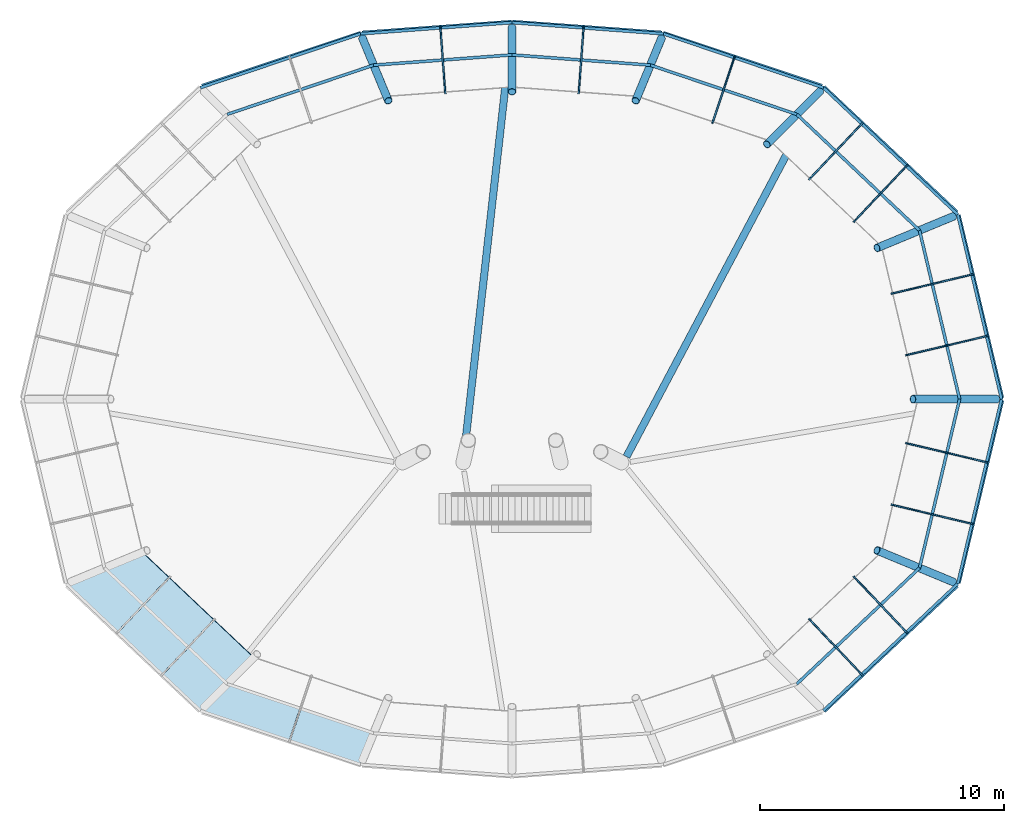
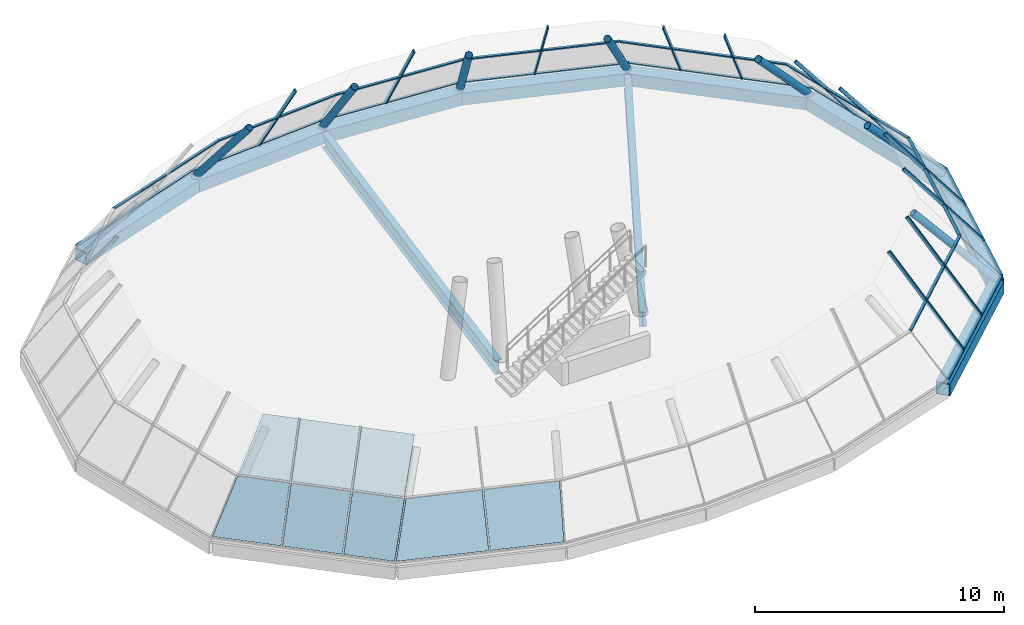
# One storey, part 2 of 5: 34 members, 10 beams, 8 plates, 10 elements without a shape of their own.
"""IFC4 building model written with IfcOpenShell, lengths in metres."""

from ifc_helpers import new_model, si_unit, direction, frame, origin, origin_2d, place, context, subcontext, project, spatial, polyline, rectangle, hollow_rectangle, hollow_circle, i_section, outline, extrude, material, layer, layer_set, material_profile, profile_set, type_object, element, aggregate, save


model = new_model("IFC4")

# Units and contexts
model_context = context("Model", 3, precision=1e-05, world=origin(), true_north=direction((0.0, 1.0)))
body_context = subcontext(model_context, "Body", "Model", "MODEL_VIEW")
ifc_project = project(units=[si_unit("LENGTHUNIT", "METRE"), si_unit("AREAUNIT", "SQUARE_METRE"), si_unit("VOLUMEUNIT", "CUBIC_METRE"), si_unit("PLANEANGLEUNIT", "RADIAN"), si_unit("MASSUNIT", "GRAM", prefix="KILO")], contexts=[model_context])

# Site, building, storey
site_placement = place(None, origin())
site = spatial("IfcSite", under=ifc_project, at=site_placement, CompositionType="ELEMENT")
building_placement = place(site_placement, origin())
building = spatial("IfcBuilding", under=site, at=building_placement, Name="Rubra Terraces Tower", CompositionType="ELEMENT")
storey_placement = place(building_placement, frame((0.0, 0.0, 320.39990234375)))
storey = spatial("IfcBuildingStorey", under=building, at=storey_placement, Name="L79", CompositionType="ELEMENT", Elevation=320.39990234375)

# Members
ifc_material_1 = material(Name="Steel Q355B", Category="steel")
ifc_material_profile_1 = material_profile(ifc_material_1, hollow_circle(Radius=0.16259765625, WallThickness=0.013916015625, at=origin_2d()), Name="CHS 325x14")
ifc_profile_set_1 = profile_set([ifc_material_profile_1], Name="Steel Q355B")
member_type_1 = type_object("IfcMemberType", Name="CROWN POST CHS 325x14", PredefinedType="POST", material=ifc_profile_set_1)
member_1_placement = place(storey_placement, frame((19.909423828125, 0.0, -0.199951171875), z_axis=(-0.691584004948, 0.0, 0.722296036331), x_axis=(0.0, -1.0, 0.0)))
element("IfcMember", 1, at=member_1_placement, inside=storey, type_object=member_type_1, Name="CROWN POST", PredefinedType="POST", context=body_context, shape_type="SweptSolid", body=[
    extrude(hollow_circle(Radius=0.16259765625, WallThickness=0.013916015625, at=origin_2d()), origin(), (0.0, 0.0, 1.0), 4.984130859375),
])
member_2_placement = place(storey_placement, frame((18.124267578125, 7.50732421875, -0.199951171875), z_axis=(-0.634139392973, -0.262621890464, 0.727253032258), x_axis=(0.382624676871, -0.923903867645, 0.0)))
element("IfcMember", 2, at=member_2_placement, inside=storey, type_object=member_type_1, Name="CROWN POST", PredefinedType="POST", context=body_context, shape_type="SweptSolid", body=[
    extrude(hollow_circle(Radius=0.16259765625, WallThickness=0.013916015625, at=origin_2d()), origin(), (0.0, 0.0, 1.0), 4.9501953125),
])
member_3_placement = place(storey_placement, frame((12.65478515625, 12.65478515625, -0.199951171875), z_axis=(-0.461497859782, -0.461497859782, 0.757653912307), x_axis=(0.707106781187, -0.707106781187, 0.0)))
element("IfcMember", 3, at=member_3_placement, inside=storey, type_object=member_type_1, Name="CROWN POST", PredefinedType="POST", context=body_context, shape_type="SweptSolid", body=[
    extrude(hollow_circle(Radius=0.16259765625, WallThickness=0.013916015625, at=origin_2d()), origin(), (0.0, 0.0, 1.0), 4.751708984375),
])
member_4_placement = place(storey_placement, frame((6.140380859375, 14.8251953125, -0.199951171875), z_axis=(-0.233981738034, -0.56532176459, 0.790989158426), x_axis=(0.923984786287, -0.382429228369, 0.0)))
element("IfcMember", 4, at=member_4_placement, inside=storey, type_object=member_type_1, Name="CROWN POST", PredefinedType="POST", context=body_context, shape_type="SweptSolid", body=[
    extrude(hollow_circle(Radius=0.16259765625, WallThickness=0.013916015625, at=origin_2d()), origin(), (0.0, 0.0, 1.0), 4.55126953125),
])
member_5_placement = place(storey_placement, frame((0.0, 15.2705078125, -0.199951171875), z_axis=(0.0, -0.593111499323, 0.80512033223), x_axis=(1.0, 0.0, 0.0)))
element("IfcMember", 5, at=member_5_placement, inside=storey, type_object=member_type_1, Name="CROWN POST", PredefinedType="POST", context=body_context, shape_type="SweptSolid", body=[
    extrude(hollow_circle(Radius=0.16259765625, WallThickness=0.013916015625, at=origin_2d()), origin(), (0.0, 0.0, 1.0), 4.471435546875),
])
member_6_placement = place(storey_placement, frame((-6.140380859375, 14.8251953125, -0.199951171875), z_axis=(0.233981738034, -0.56532176459, 0.790989158426), x_axis=(0.923984786287, 0.382429228369, 0.0)))
element("IfcMember", 6, at=member_6_placement, inside=storey, type_object=member_type_1, Name="CROWN POST", PredefinedType="POST", context=body_context, shape_type="SweptSolid", body=[
    extrude(hollow_circle(Radius=0.16259765625, WallThickness=0.013916015625, at=origin_2d()), origin(), (0.0, 0.0, 1.0), 4.55126953125),
])
member_7_placement = place(storey_placement, frame((18.124267578125, -7.50732421875, -0.199951171875), z_axis=(-0.634139392973, 0.262621890464, 0.727253032258), x_axis=(-0.382624676871, -0.923903867645, 0.0)))
element("IfcMember", 7, at=member_7_placement, inside=storey, type_object=member_type_1, Name="CROWN POST", PredefinedType="POST", context=body_context, shape_type="SweptSolid", body=[
    extrude(hollow_circle(Radius=0.16259765625, WallThickness=0.013916015625, at=origin_2d()), origin(), (0.0, 0.0, 1.0), 4.9501953125),
])

# Beams
ifc_material_profile_2 = material_profile(ifc_material_1, hollow_rectangle(XDim=0.60009765625, YDim=0.60009765625, WallThickness=0.030029296875, at=origin_2d()), Name="BOX 600x600x30")
ifc_profile_set_2 = profile_set([ifc_material_profile_2], Name="Steel Q355B")
beam_type_1 = type_object("IfcBeamType", Name="CROWN RING GIRDER BOX 600x600x30", PredefinedType="BEAM", material=ifc_profile_set_2)
beam_1_placement = place(storey_placement, frame((19.909912109375, 0.0, -0.5), z_axis=(-0.231435173455, 0.972850327896, 0.0), x_axis=(-0.972850327896, -0.231435173455, 0.0)))
element("IfcBeam", 8, at=beam_1_placement, inside=storey, type_object=beam_type_1, Name="CROWN RING GIRDER", PredefinedType="BEAM", context=body_context, shape_type="SweptSolid", body=[
    extrude(hollow_rectangle(XDim=0.60009765625, YDim=0.60009765625, WallThickness=0.030029296875, at=origin_2d()), origin(), (0.0, 0.0, 1.0), 7.716552734375),
])
beam_2_placement = place(storey_placement, frame((18.1240234375, 7.507080078125, -0.5), z_axis=(-0.72815609384, 0.685411338543, 0.0), x_axis=(-0.685411338543, -0.72815609384, 0.0)))
element("IfcBeam", 9, at=beam_2_placement, inside=storey, type_object=beam_type_1, Name="CROWN RING GIRDER", PredefinedType="BEAM", context=body_context, shape_type="SweptSolid", body=[
    extrude(hollow_rectangle(XDim=0.60009765625, YDim=0.60009765625, WallThickness=0.030029296875, at=origin_2d()), origin(), (0.0, 0.0, 1.0), 7.5107421875),
])
beam_3_placement = place(storey_placement, frame((12.655029296875, 12.655029296875, -0.5), z_axis=(-0.948761485147, 0.315993107996, 0.0), x_axis=(-0.315993107996, -0.948761485147, 0.0)))
element("IfcBeam", 10, at=beam_3_placement, inside=storey, type_object=beam_type_1, Name="CROWN RING GIRDER", PredefinedType="BEAM", context=body_context, shape_type="SweptSolid", body=[
    extrude(hollow_rectangle(XDim=0.60009765625, YDim=0.60009765625, WallThickness=0.030029296875, at=origin_2d()), origin(), (0.0, 0.0, 1.0), 6.866943359375),
])
for number, where, z_axis, x_axis, name in (
    (11, (6.139892578125, 14.824951171875, -0.5), (-0.997383055539, 0.072298274693, 0.0), (-0.072298274693, -0.997383055539, 0.0), "CROWN RING GIRDER"),
    (12, (0.0, 15.27001953125, -0.5), (-0.997383055539, -0.072298274693, 0.0), (0.072298274693, -0.997383055539, 0.0), "CROWN RING GIRDER"),
):
    element("IfcBeam", number, at=place(storey_placement, frame(where, z_axis=z_axis, x_axis=x_axis)), inside=storey, type_object=beam_type_1, Name=name, PredefinedType="BEAM", context=body_context, shape_type="SweptSolid", body=[
        extrude(hollow_rectangle(XDim=0.60009765625, YDim=0.60009765625, WallThickness=0.030029296875, at=origin_2d()), origin(), (0.0, 0.0, 1.0), 6.156005859375),
    ])
beam_4_placement = place(storey_placement, frame((-6.139892578125, 14.824951171875, -0.5), z_axis=(-0.948761485147, -0.315993107996, 0.0), x_axis=(0.315993107996, -0.948761485147, 0.0)))
element("IfcBeam", 13, at=beam_4_placement, inside=storey, type_object=beam_type_1, Name="CROWN RING GIRDER", PredefinedType="BEAM", context=body_context, shape_type="SweptSolid", body=[
    extrude(hollow_rectangle(XDim=0.60009765625, YDim=0.60009765625, WallThickness=0.030029296875, at=origin_2d()), origin(), (0.0, 0.0, 1.0), 6.866943359375),
])
beam_5_placement = place(storey_placement, frame((12.655029296875, -12.655029296875, -0.5), z_axis=(0.72815609384, 0.685411338543, 0.0), x_axis=(-0.685411338543, 0.72815609384, 0.0)))
element("IfcBeam", 14, at=beam_5_placement, inside=storey, type_object=beam_type_1, Name="CROWN RING GIRDER", PredefinedType="BEAM", context=body_context, shape_type="SweptSolid", body=[
    extrude(hollow_rectangle(XDim=0.60009765625, YDim=0.60009765625, WallThickness=0.030029296875, at=origin_2d()), origin(), (0.0, 0.0, 1.0), 7.5107421875),
])
beam_6_placement = place(storey_placement, frame((18.1240234375, -7.507080078125, -0.5), z_axis=(0.231435173455, 0.972850327896, 0.0), x_axis=(-0.972850327896, 0.231435173455, 0.0)))
element("IfcBeam", 15, at=beam_6_placement, inside=storey, type_object=beam_type_1, Name="CROWN RING GIRDER", PredefinedType="BEAM", context=body_context, shape_type="SweptSolid", body=[
    extrude(hollow_rectangle(XDim=0.60009765625, YDim=0.60009765625, WallThickness=0.030029296875, at=origin_2d()), origin(), (0.0, 0.0, 1.0), 7.716552734375),
])

# Curtain wall, members
ifc_material_2 = material(Name="Aluminium and glass", Category="aluminium")
curtain_wall_type = type_object("IfcCurtainWallType", Name="Curtain wall Crown glazing", PredefinedType="NOTDEFINED", material=ifc_material_2)
curtain_wall_1_placement = place(storey_placement, origin())
curtain_wall_1 = element("IfcCurtainWall", 16, at=curtain_wall_1_placement, inside=storey, type_object=curtain_wall_type, Name="Crown glazing L79 facet 1", PredefinedType="NOTDEFINED")
ifc_material_3 = material(Name="Aluminium, anodised dark grey", Category="aluminium")
ifc_material_profile_3 = material_profile(ifc_material_3, rectangle(XDim=0.06005859375, YDim=0.159912109375, at=origin_2d()), Name="AL 60x160")
ifc_profile_set_3 = profile_set([ifc_material_profile_3], Name="Aluminium, anodised dark grey")
member_type_2 = type_object("IfcMemberType", Name="Crown glazing mullion 60 x 160", PredefinedType="MULLION", material=ifc_profile_set_3)
member_8_placement = place(storey_placement, frame((19.4873046875, 2.58935546875, 0.0), z_axis=(-0.607138086459, -0.144119783671, 0.781417194542), x_axis=(0.23095787964, -0.972963749495, 0.0)))
member_8 = element("IfcMember", 17, at=member_8_placement, type_object=member_type_2, Name="Crown glazing L79 facet 1 mullion 1", PredefinedType="MULLION", context=body_context, shape_type="SweptSolid", body=[
    extrude(rectangle(XDim=0.06005859375, YDim=0.159912109375, at=origin_2d()), origin(), (0.0, 0.0, 1.0), 5.375),
])
member_9_placement = place(storey_placement, frame((18.88720703125, 5.116455078125, 0.0), z_axis=(-0.607134111535, -0.144164260493, 0.781412078616), x_axis=(0.231026783742, -0.972947390764, 0.0)))
member_9 = element("IfcMember", 18, at=member_9_placement, type_object=member_type_2, Name="Crown glazing L79 facet 1 mullion 2", PredefinedType="MULLION", context=body_context, shape_type="SweptSolid", body=[
    extrude(rectangle(XDim=0.06005859375, YDim=0.159912109375, at=origin_2d()), origin(), (0.0, 0.0, 1.0), 5.375244140625),
])

curtain_wall_2_placement = place(storey_placement, origin())
curtain_wall_2 = element("IfcCurtainWall", 19, at=curtain_wall_2_placement, inside=storey, type_object=curtain_wall_type, Name="Crown glazing L79 facet 2", PredefinedType="NOTDEFINED")
member_10_placement = place(storey_placement, frame((16.197021484375, 9.571044921875, 0.0), z_axis=(-0.408014345473, -0.431583311675, 0.804524790775), x_axis=(0.72667023824, -0.68698643717, 0.0)))
member_10 = element("IfcMember", 20, at=member_10_placement, type_object=member_type_2, Name="Crown glazing L79 facet 2 mullion 1", PredefinedType="MULLION", context=body_context, shape_type="SweptSolid", body=[
    extrude(rectangle(XDim=0.06005859375, YDim=0.159912109375, at=origin_2d()), origin(), (0.0, 0.0, 1.0), 5.220703125),
])
member_11_placement = place(storey_placement, frame((14.360107421875, 11.3076171875, 0.0), z_axis=(-0.408014345473, -0.431583311675, 0.804524790775), x_axis=(0.72667023824, -0.68698643717, 0.0)))
member_11 = element("IfcMember", 21, at=member_11_placement, type_object=member_type_2, Name="Crown glazing L79 facet 2 mullion 2", PredefinedType="MULLION", context=body_context, shape_type="SweptSolid", body=[
    extrude(rectangle(XDim=0.06005859375, YDim=0.159912109375, at=origin_2d()), origin(), (0.0, 0.0, 1.0), 5.220703125),
])

# Curtain wall, member
curtain_wall_3_placement = place(storey_placement, origin())
curtain_wall_3 = element("IfcCurtainWall", 22, at=curtain_wall_3_placement, inside=storey, type_object=curtain_wall_type, Name="Crown glazing L79 facet 3", PredefinedType="NOTDEFINED")
member_12_placement = place(storey_placement, frame((9.130859375, 14.02197265625, 0.0), z_axis=(-0.175889468763, -0.522868776352, 0.834069024419), x_axis=(0.947809673557, -0.318836670901, 0.0)))
member_12 = element("IfcMember", 23, at=member_12_placement, type_object=member_type_2, Name="Crown glazing L79 facet 3 mullion 1", PredefinedType="MULLION", context=body_context, shape_type="SweptSolid", body=[
    extrude(rectangle(XDim=0.06005859375, YDim=0.159912109375, at=origin_2d()), origin(), (0.0, 0.0, 1.0), 5.035888671875),
])

curtain_wall_4_placement = place(storey_placement, origin())
curtain_wall_4 = element("IfcCurtainWall", 24, at=curtain_wall_4_placement, inside=storey, type_object=curtain_wall_type, Name="Crown glazing L79 facet 4", PredefinedType="NOTDEFINED")
member_13_placement = place(storey_placement, frame((2.9384765625, 15.24560546875, 0.0), z_axis=(-0.039349040898, -0.531408797322, 0.846201124503), x_axis=(0.997269768942, -0.073844484927, 0.0)))
member_13 = element("IfcMember", 25, at=member_13_placement, type_object=member_type_2, Name="Crown glazing L79 facet 4 mullion 1", PredefinedType="MULLION", context=body_context, shape_type="SweptSolid", body=[
    extrude(rectangle(XDim=0.06005859375, YDim=0.159912109375, at=origin_2d()), origin(), (0.0, 0.0, 1.0), 4.963623046875),
])

curtain_wall_5_placement = place(storey_placement, origin())
curtain_wall_5 = element("IfcCurtainWall", 26, at=curtain_wall_5_placement, inside=storey, type_object=curtain_wall_type, Name="Crown glazing L79 facet 5", PredefinedType="NOTDEFINED")
member_14_placement = place(storey_placement, frame((-2.9384765625, 15.24560546875, 0.0), z_axis=(0.039349040898, -0.531408797322, 0.846201124503), x_axis=(0.997269768942, 0.073844484927, 0.0)))
member_14 = element("IfcMember", 27, at=member_14_placement, type_object=member_type_2, Name="Crown glazing L79 facet 5 mullion 1", PredefinedType="MULLION", context=body_context, shape_type="SweptSolid", body=[
    extrude(rectangle(XDim=0.06005859375, YDim=0.159912109375, at=origin_2d()), origin(), (0.0, 0.0, 1.0), 4.963623046875),
])

# Curtain wall, members
curtain_wall_6_placement = place(storey_placement, origin())
curtain_wall_6 = element("IfcCurtainWall", 28, at=curtain_wall_6_placement, inside=storey, type_object=curtain_wall_type, Name="Crown glazing L79 facet 15", PredefinedType="NOTDEFINED")
member_15_placement = place(storey_placement, frame((14.360107421875, -11.3076171875, 0.0), z_axis=(-0.408014345473, 0.431583311675, 0.804524790775), x_axis=(-0.72667023824, -0.68698643717, 0.0)))
member_15 = element("IfcMember", 29, at=member_15_placement, type_object=member_type_2, Name="Crown glazing L79 facet 15 mullion 1", PredefinedType="MULLION", context=body_context, shape_type="SweptSolid", body=[
    extrude(rectangle(XDim=0.06005859375, YDim=0.159912109375, at=origin_2d()), origin(), (0.0, 0.0, 1.0), 5.220703125),
])
member_16_placement = place(storey_placement, frame((16.197021484375, -9.571044921875, 0.0), z_axis=(-0.408014345473, 0.431583311675, 0.804524790775), x_axis=(-0.72667023824, -0.68698643717, 0.0)))
member_16 = element("IfcMember", 30, at=member_16_placement, type_object=member_type_2, Name="Crown glazing L79 facet 15 mullion 2", PredefinedType="MULLION", context=body_context, shape_type="SweptSolid", body=[
    extrude(rectangle(XDim=0.06005859375, YDim=0.159912109375, at=origin_2d()), origin(), (0.0, 0.0, 1.0), 5.220703125),
])

curtain_wall_7_placement = place(storey_placement, origin())
curtain_wall_7 = element("IfcCurtainWall", 31, at=curtain_wall_7_placement, inside=storey, type_object=curtain_wall_type, Name="Crown glazing L79 facet 16", PredefinedType="NOTDEFINED")
member_17_placement = place(storey_placement, frame((18.88720703125, -5.116455078125, 0.0), z_axis=(-0.607134111535, 0.144164260493, 0.781412078616), x_axis=(-0.231026783742, -0.972947390764, 0.0)))
member_17 = element("IfcMember", 32, at=member_17_placement, type_object=member_type_2, Name="Crown glazing L79 facet 16 mullion 1", PredefinedType="MULLION", context=body_context, shape_type="SweptSolid", body=[
    extrude(rectangle(XDim=0.06005859375, YDim=0.159912109375, at=origin_2d()), origin(), (0.0, 0.0, 1.0), 5.375244140625),
])
member_18_placement = place(storey_placement, frame((19.4873046875, -2.58935546875, 0.0), z_axis=(-0.607138086459, 0.144119783671, 0.781417194542), x_axis=(-0.23095787964, -0.972963749495, 0.0)))
member_18 = element("IfcMember", 33, at=member_18_placement, type_object=member_type_2, Name="Crown glazing L79 facet 16 mullion 2", PredefinedType="MULLION", context=body_context, shape_type="SweptSolid", body=[
    extrude(rectangle(XDim=0.06005859375, YDim=0.159912109375, at=origin_2d()), origin(), (0.0, 0.0, 1.0), 5.375),
])

# Member
ifc_material_profile_4 = material_profile(ifc_material_3, rectangle(XDim=0.1201171875, YDim=0.06005859375, at=origin_2d()), Name="AL 120x60")
ifc_profile_set_4 = profile_set([ifc_material_profile_4], Name="Aluminium, anodised dark grey")
member_type_3 = type_object("IfcMemberType", Name="Crown glazing transom 120 x 60", PredefinedType="USERDEFINED", material=ifc_profile_set_4)
member_19_placement = place(storey_placement, frame((20.10205078125, 0.0, 0.0), z_axis=(-0.231017559599, 0.972949580994, 0.0), x_axis=(-0.972949580994, -0.231017559599, 0.0)))
member_19 = element("IfcMember", 34, at=member_19_placement, type_object=member_type_3, Name="Crown glazing L79 facet 1 transom 1", ObjectType="TRANSOM", PredefinedType="USERDEFINED", context=body_context, shape_type="SweptSolid", body=[
    extrude(rectangle(XDim=0.1201171875, YDim=0.06005859375, at=origin_2d()), origin(), (0.0, 0.0, 1.0), 7.791748046875),
])

member_20_placement = place(storey_placement, frame((18.37841796875, 0.0, 2.10009765625), z_axis=(-0.23102741721, 0.972947240346, 0.0), x_axis=(-0.972947240346, -0.23102741721, 0.0)))
member_20 = element("IfcMember", 35, at=member_20_placement, type_object=member_type_3, Name="Crown glazing L79 facet 1 transom 2", ObjectType="TRANSOM", PredefinedType="USERDEFINED", context=body_context, shape_type="SweptSolid", body=[
    extrude(rectangle(XDim=0.1201171875, YDim=0.06005859375, at=origin_2d()), origin(), (0.0, 0.0, 1.0), 7.12353515625),
])

aggregate(curtain_wall_1, [member_8, member_9, member_19, member_20])

member_21_placement = place(storey_placement, frame((18.302001953125, 7.5810546875, 0.0), z_axis=(-0.726674704742, 0.68698171263, 0.0), x_axis=(-0.68698171263, -0.726674704742, 0.0)))
member_21 = element("IfcMember", 36, at=member_21_placement, type_object=member_type_3, Name="Crown glazing L79 facet 2 transom 1", ObjectType="TRANSOM", PredefinedType="USERDEFINED", context=body_context, shape_type="SweptSolid", body=[
    extrude(rectangle(XDim=0.1201171875, YDim=0.06005859375, at=origin_2d()), origin(), (0.0, 0.0, 1.0), 7.583740234375),
])

member_22_placement = place(storey_placement, frame((16.732666015625, 6.93115234375, 2.10009765625), z_axis=(-0.726670304904, 0.686986366656, 0.0), x_axis=(-0.686986366656, -0.726670304904, 0.0)))
member_22 = element("IfcMember", 37, at=member_22_placement, type_object=member_type_3, Name="Crown glazing L79 facet 2 transom 2", ObjectType="TRANSOM", PredefinedType="USERDEFINED", context=body_context, shape_type="SweptSolid", body=[
    extrude(rectangle(XDim=0.1201171875, YDim=0.06005859375, at=origin_2d()), origin(), (0.0, 0.0, 1.0), 6.933349609375),
])

aggregate(curtain_wall_2, [member_10, member_11, member_21, member_22])

member_23_placement = place(storey_placement, frame((12.791015625, 12.791015625, 0.0), z_axis=(-0.947831943993, 0.318770459652, 0.0), x_axis=(-0.318770459652, -0.947831943993, 0.0)))
member_23 = element("IfcMember", 38, at=member_23_placement, type_object=member_type_3, Name="Crown glazing L79 facet 3 transom 1", ObjectType="TRANSOM", PredefinedType="USERDEFINED", context=body_context, shape_type="SweptSolid", body=[
    extrude(rectangle(XDim=0.1201171875, YDim=0.06005859375, at=origin_2d()), origin(), (0.0, 0.0, 1.0), 6.93896484375),
])

member_24_placement = place(storey_placement, frame((11.694580078125, 11.6943359375, 2.10009765625), z_axis=(-0.947837150447, 0.318754978366, 0.0), x_axis=(-0.318754978366, -0.947837150447, 0.0)))
member_24 = element("IfcMember", 39, at=member_24_placement, type_object=member_type_3, Name="Crown glazing L79 facet 3 transom 2", ObjectType="TRANSOM", PredefinedType="USERDEFINED", context=body_context, shape_type="SweptSolid", body=[
    extrude(rectangle(XDim=0.1201171875, YDim=0.06005859375, at=origin_2d()), origin(), (0.0, 0.0, 1.0), 6.343994140625),
])

aggregate(curtain_wall_3, [member_12, member_23, member_24])

member_25_placement = place(storey_placement, frame((6.214111328125, 15.0029296875, 0.0), z_axis=(-0.997271815363, 0.073816842814, 0.0), x_axis=(-0.073816842814, -0.997271815363, 0.0)))
member_25 = element("IfcMember", 40, at=member_25_placement, type_object=member_type_3, Name="Crown glazing L79 facet 4 transom 1", ObjectType="TRANSOM", PredefinedType="USERDEFINED", context=body_context, shape_type="SweptSolid", body=[
    extrude(rectangle(XDim=0.1201171875, YDim=0.06005859375, at=origin_2d()), origin(), (0.0, 0.0, 1.0), 6.231201171875),
])

member_26_placement = place(storey_placement, frame((5.681396484375, 13.716552734375, 2.10009765625), z_axis=(-0.997273364209, 0.073795914794, 0.0), x_axis=(-0.073795914794, -0.997273364209, 0.0)))
member_26 = element("IfcMember", 41, at=member_26_placement, type_object=member_type_3, Name="Crown glazing L79 facet 4 transom 2", ObjectType="TRANSOM", PredefinedType="USERDEFINED", context=body_context, shape_type="SweptSolid", body=[
    extrude(rectangle(XDim=0.1201171875, YDim=0.06005859375, at=origin_2d()), origin(), (0.0, 0.0, 1.0), 5.697021484375),
])

aggregate(curtain_wall_4, [member_13, member_25, member_26])

member_27_placement = place(storey_placement, frame((0.0, 15.462890625, 0.0), z_axis=(-0.997271815363, -0.073816842814, 0.0), x_axis=(0.073816842814, -0.997271815363, 0.0)))
member_27 = element("IfcMember", 42, at=member_27_placement, type_object=member_type_3, Name="Crown glazing L79 facet 5 transom 1", ObjectType="TRANSOM", PredefinedType="USERDEFINED", context=body_context, shape_type="SweptSolid", body=[
    extrude(rectangle(XDim=0.1201171875, YDim=0.06005859375, at=origin_2d()), origin(), (0.0, 0.0, 1.0), 6.231201171875),
])

member_28_placement = place(storey_placement, frame((0.0, 14.136962890625, 2.10009765625), z_axis=(-0.997273364209, -0.073795914794, 0.0), x_axis=(0.073795914794, -0.997273364209, 0.0)))
member_28 = element("IfcMember", 43, at=member_28_placement, type_object=member_type_3, Name="Crown glazing L79 facet 5 transom 2", ObjectType="TRANSOM", PredefinedType="USERDEFINED", context=body_context, shape_type="SweptSolid", body=[
    extrude(rectangle(XDim=0.1201171875, YDim=0.06005859375, at=origin_2d()), origin(), (0.0, 0.0, 1.0), 5.697021484375),
])

aggregate(curtain_wall_5, [member_14, member_27, member_28])

# Curtain wall, members
curtain_wall_8_placement = place(storey_placement, origin())
curtain_wall_8 = element("IfcCurtainWall", 44, at=curtain_wall_8_placement, inside=storey, type_object=curtain_wall_type, Name="Crown glazing L79 facet 6", PredefinedType="NOTDEFINED")
member_29_placement = place(storey_placement, frame((-6.214111328125, 15.0029296875, 0.0), z_axis=(-0.947831943993, -0.318770459652, 0.0), x_axis=(0.318770459652, -0.947831943993, 0.0)))
member_29 = element("IfcMember", 45, at=member_29_placement, type_object=member_type_3, Name="Crown glazing L79 facet 6 transom 1", ObjectType="TRANSOM", PredefinedType="USERDEFINED", context=body_context, shape_type="SweptSolid", body=[
    extrude(rectangle(XDim=0.1201171875, YDim=0.06005859375, at=origin_2d()), origin(), (0.0, 0.0, 1.0), 6.93896484375),
])
member_30_placement = place(storey_placement, frame((-5.681396484375, 13.716552734375, 2.10009765625), z_axis=(-0.947837150447, -0.318754978366, 0.0), x_axis=(0.318754978366, -0.947837150447, 0.0)))
member_30 = element("IfcMember", 46, at=member_30_placement, type_object=member_type_3, Name="Crown glazing L79 facet 6 transom 2", ObjectType="TRANSOM", PredefinedType="USERDEFINED", context=body_context, shape_type="SweptSolid", body=[
    extrude(rectangle(XDim=0.1201171875, YDim=0.06005859375, at=origin_2d()), origin(), (0.0, 0.0, 1.0), 6.343994140625),
])
aggregate(curtain_wall_8, [member_29, member_30])

# Member
member_31_placement = place(storey_placement, frame((12.791015625, -12.791015625, 0.0), z_axis=(0.726674704742, 0.68698171263, 0.0), x_axis=(-0.68698171263, 0.726674704742, 0.0)))
member_31 = element("IfcMember", 47, at=member_31_placement, type_object=member_type_3, Name="Crown glazing L79 facet 15 transom 1", ObjectType="TRANSOM", PredefinedType="USERDEFINED", context=body_context, shape_type="SweptSolid", body=[
    extrude(rectangle(XDim=0.1201171875, YDim=0.06005859375, at=origin_2d()), origin(), (0.0, 0.0, 1.0), 7.583740234375),
])

member_32_placement = place(storey_placement, frame((11.6943359375, -11.6943359375, 2.10009765625), z_axis=(0.726670304904, 0.686986366656, 0.0), x_axis=(-0.686986366656, 0.726670304904, 0.0)))
member_32 = element("IfcMember", 48, at=member_32_placement, type_object=member_type_3, Name="Crown glazing L79 facet 15 transom 2", ObjectType="TRANSOM", PredefinedType="USERDEFINED", context=body_context, shape_type="SweptSolid", body=[
    extrude(rectangle(XDim=0.1201171875, YDim=0.06005859375, at=origin_2d()), origin(), (0.0, 0.0, 1.0), 6.933349609375),
])

aggregate(curtain_wall_6, [member_15, member_16, member_31, member_32])

member_33_placement = place(storey_placement, frame((18.302001953125, -7.5810546875, 0.0), z_axis=(0.231017559599, 0.972949580994, 0.0), x_axis=(-0.972949580994, 0.231017559599, 0.0)))
member_33 = element("IfcMember", 49, at=member_33_placement, type_object=member_type_3, Name="Crown glazing L79 facet 16 transom 1", ObjectType="TRANSOM", PredefinedType="USERDEFINED", context=body_context, shape_type="SweptSolid", body=[
    extrude(rectangle(XDim=0.1201171875, YDim=0.06005859375, at=origin_2d()), origin(), (0.0, 0.0, 1.0), 7.791748046875),
])

member_34_placement = place(storey_placement, frame((16.732666015625, -6.930908203125, 2.10009765625), z_axis=(0.23102741721, 0.972947240346, 0.0), x_axis=(-0.972947240346, 0.23102741721, 0.0)))
member_34 = element("IfcMember", 50, at=member_34_placement, type_object=member_type_3, Name="Crown glazing L79 facet 16 transom 2", ObjectType="TRANSOM", PredefinedType="USERDEFINED", context=body_context, shape_type="SweptSolid", body=[
    extrude(rectangle(XDim=0.1201171875, YDim=0.06005859375, at=origin_2d()), origin(), (0.0, 0.0, 1.0), 7.12353515625),
])

aggregate(curtain_wall_7, [member_17, member_18, member_33, member_34])

# Beams
ifc_material_profile_5 = material_profile(ifc_material_1, i_section(OverallWidth=0.300048828125, OverallDepth=0.699951171875, WebThickness=0.012939453125, FlangeThickness=0.02392578125, at=origin_2d()), Name="HN 700x300x13x24")
ifc_profile_set_5 = profile_set([ifc_material_profile_5], Name="Steel Q355B")
beam_type_2 = type_object("IfcBeamType", Name="FLOOR BEAM HN 700x300x13x24", PredefinedType="BEAM", material=ifc_profile_set_5)
beam_7_placement = place(storey_placement, frame((12.490966796875, 12.345947265625, -0.5498046875), z_axis=(-0.468098007041, -0.883676556102, 0.0), x_axis=(0.883676556102, -0.468098007041, 0.0)))
element("IfcBeam", 51, at=beam_7_placement, inside=storey, type_object=beam_type_2, Name="beam-L79-crown-floor-03", PredefinedType="BEAM", context=body_context, shape_type="SweptSolid", body=[
    extrude(i_section(OverallWidth=0.300048828125, OverallDepth=0.699951171875, WebThickness=0.012939453125, FlangeThickness=0.02392578125, at=origin_2d()), origin(), (0.0, 0.0, 1.0), 16.641845703125),
])
beam_8_placement = place(storey_placement, frame((-0.0390625, 14.923095703125, -0.5498046875), z_axis=(-0.11160709837, -0.993752411616, 0.0), x_axis=(0.993752411616, -0.11160709837, 0.0)))
element("IfcBeam", 52, at=beam_8_placement, inside=storey, type_object=beam_type_2, Name="beam-L79-crown-floor-05", PredefinedType="BEAM", context=body_context, shape_type="SweptSolid", body=[
    extrude(i_section(OverallWidth=0.300048828125, OverallDepth=0.699951171875, WebThickness=0.012939453125, FlangeThickness=0.02392578125, at=origin_2d()), origin(), (0.0, 0.0, 1.0), 17.390625),
])

# Curtain wall, plates
curtain_wall_9_placement = place(storey_placement, origin())
curtain_wall_9 = element("IfcCurtainWall", 53, at=curtain_wall_9_placement, inside=storey, type_object=curtain_wall_type, Name="Crown glazing L79 facet 10", PredefinedType="NOTDEFINED")
ifc_material_4 = material(Name="Clear glass, laminated", Category="glass")
ifc_layer = layer(ifc_material_4, 0.028076171875)
ifc_layer_set = layer_set([ifc_layer], Name="Clear glass, laminated")
plate_type = type_object("IfcPlateType", Name="Crown glazing glass panel 28", PredefinedType="CURTAIN_PANEL", material=ifc_layer_set)
plate_1_placement = place(storey_placement, frame((-18.2626953125, -7.594482421875, 0.0234375), z_axis=(-0.552681656558, -0.584633133384, 0.593925151728), x_axis=(0.726682766719, -0.686973184722, -5.135719e-06)))
plate_1 = element("IfcPlate", 54, at=plate_1_placement, type_object=plate_type, Name="Crown glazing L79 facet 10 panel 1.1", PredefinedType="CURTAIN_PANEL", context=body_context, shape_type="SweptSolid", body=[
    extrude(outline(polyline([(0.0, 0.0), (2.828851427285646, 0.0), (2.8289399226035683, 2.5524294712251216), (0.678458689566012, 2.5523976852602352), (0.0, 0.0)])), origin(), (0.0, 0.0, -1.0), 0.028076171875),
])
plate_2_placement = place(storey_placement, frame((-16.693359375, -6.944580078125, 2.123291015625), z_axis=(-0.552739837821, -0.584568727265, 0.593934402766), x_axis=(0.726612173697, -0.687047850614, 1.359485e-06)))
plate_2 = element("IfcPlate", 55, at=plate_2_placement, type_object=plate_type, Name="Crown glazing L79 facet 10 panel 1.2", PredefinedType="CURTAIN_PANEL", context=body_context, shape_type="SweptSolid", body=[
    extrude(outline(polyline([(0.0, 0.0), (2.1349309663477367, 1.1102230246251565e-16), (2.134877027296947, 2.552429472301837), (0.6783162576085328, 2.552435541283632), (0.0, 0.0)])), origin(), (0.0, 0.0, -1.0), 0.028076171875),
])
plate_3_placement = place(storey_placement, frame((-16.163330078125, -9.5791015625, 0.0234375), z_axis=(-0.552718751319, -0.584634687568, 0.593889100786), x_axis=(0.726663741204, -0.686993309442, 9.37616e-07)))
plate_3 = element("IfcPlate", 56, at=plate_3_placement, type_object=plate_type, Name="Crown glazing L79 facet 10 panel 2.1", PredefinedType="CURTAIN_PANEL", context=body_context, shape_type="SweptSolid", body=[
    extrude(outline(polyline([(0.0, 0.0), (2.467731132790754, -2.220446049250313e-16), (2.4679578386922225, 2.5523241075317564), (-0.00011842521441206268, 2.55232985970545), (0.0, 0.0)])), origin(), (0.0, 0.0, -1.0), 0.028076171875),
])
plate_4_placement = place(storey_placement, frame((-15.098388671875, -8.452392578125, 2.123291015625), z_axis=(-0.552718751319, -0.584634687568, 0.593889100786), x_axis=(0.726662790311, -0.686994315243, -9.37485e-07)))
plate_4 = element("IfcPlate", 57, at=plate_4_placement, type_object=plate_type, Name="Crown glazing L79 facet 10 panel 2.2", PredefinedType="CURTAIN_PANEL", context=body_context, shape_type="SweptSolid", body=[
    extrude(outline(polyline([(0.0, 0.0), (2.4680762639133382, 0.0), (2.467951890161237, 2.552329859422513), (0.00022075737718465376, 2.5523241080531927), (0.0, 0.0)])), origin(), (0.0, 0.0, -1.0), 0.028076171875),
])
plate_5_placement = place(storey_placement, frame((-14.326416015625, -11.31591796875, 0.0234375), z_axis=(-0.552665975775, -0.584614662377, 0.593957924229), x_axis=(0.726693335509, -0.686962004632, 1.7881661e-05)))
plate_5 = element("IfcPlate", 58, at=plate_5_placement, type_object=plate_type, Name="Crown glazing L79 facet 10 panel 3.1", PredefinedType="CURTAIN_PANEL", context=body_context, shape_type="SweptSolid", body=[
    extrude(outline(polyline([(0.0, 0.0), (2.0997082202863657, 0.0), (2.1421797646861758, 2.5524405610525056), (-8.631584049121321e-06, 2.5525348463550808), (0.0, 0.0)])), origin(), (0.0, 0.0, -1.0), 0.028076171875),
])
plate_6_placement = place(storey_placement, frame((-13.261474609375, -10.189208984375, 2.123291015625), z_axis=(-0.552670274631, -0.584611812545, 0.593956729208), x_axis=(0.72666928322, -0.686987447036, -2.0985173e-05)))
plate_6 = element("IfcPlate", 59, at=plate_6_placement, type_object=plate_type, Name="Crown glazing L79 facet 10 panel 3.2", PredefinedType="CURTAIN_PANEL", context=body_context, shape_type="SweptSolid", body=[
    extrude(outline(polyline([(0.0, 0.0), (2.143223791682276, 0.0), (2.1857398561515806, 2.552542391248027), (2.6195043975690828e-05, 2.552429471618804), (0.0, 0.0)])), origin(), (0.0, 0.0, -1.0), 0.028076171875),
])
aggregate(curtain_wall_9, [plate_1, plate_2, plate_3, plate_4, plate_5, plate_6])

curtain_wall_10_placement = place(storey_placement, origin())
curtain_wall_10 = element("IfcCurtainWall", 60, at=curtain_wall_10_placement, inside=storey, type_object=curtain_wall_type, Name="Crown glazing L79 facet 11", PredefinedType="NOTDEFINED")
plate_7_placement = place(storey_placement, frame((-12.75, -12.7880859375, 0.024169921875), z_axis=(-0.265867634633, -0.790563758594, 0.551655095555), x_axis=(0.947838231436, -0.31875176378, 1.0724408e-05)))
plate_7 = element("IfcPlate", 61, at=plate_7_placement, type_object=plate_type, Name="Crown glazing L79 facet 11 panel 1.1", PredefinedType="CURTAIN_PANEL", context=body_context, shape_type="SweptSolid", body=[
    extrude(outline(polyline([(0.0, 0.0), (3.7938200187564224, 0.0), (3.793936030094445, 2.459879132105102), (0.6738776358008529, 2.459968029978055), (0.0, 0.0)])), origin(), (0.0, 0.0, -1.0), 0.028076171875),
])
plate_8_placement = place(storey_placement, frame((-9.097412109375, -14.0166015625, 0.024169921875), z_axis=(-0.265862073151, -0.790543515527, 0.551686784433), x_axis=(0.947836512918, -0.318756874056, 4.713757e-06)))
plate_8 = element("IfcPlate", 62, at=plate_8_placement, type_object=plate_type, Name="Crown glazing L79 facet 11 panel 2.1", PredefinedType="CURTAIN_PANEL", context=body_context, shape_type="SweptSolid", body=[
    extrude(outline(polyline([(0.0, 0.0), (3.018534408089905, 0.0), (3.111043889486757, 2.459972149924801), (1.854148029939628e-05, 2.4600067919819617), (0.0, 0.0)])), origin(), (0.0, 0.0, -1.0), 0.028076171875),
])
aggregate(curtain_wall_10, [plate_7, plate_8])

save(model, "model.ifc")
